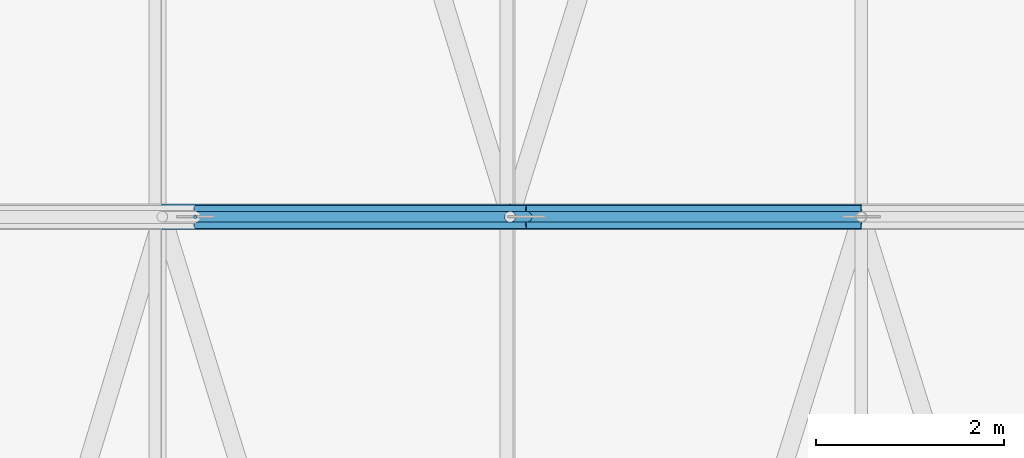
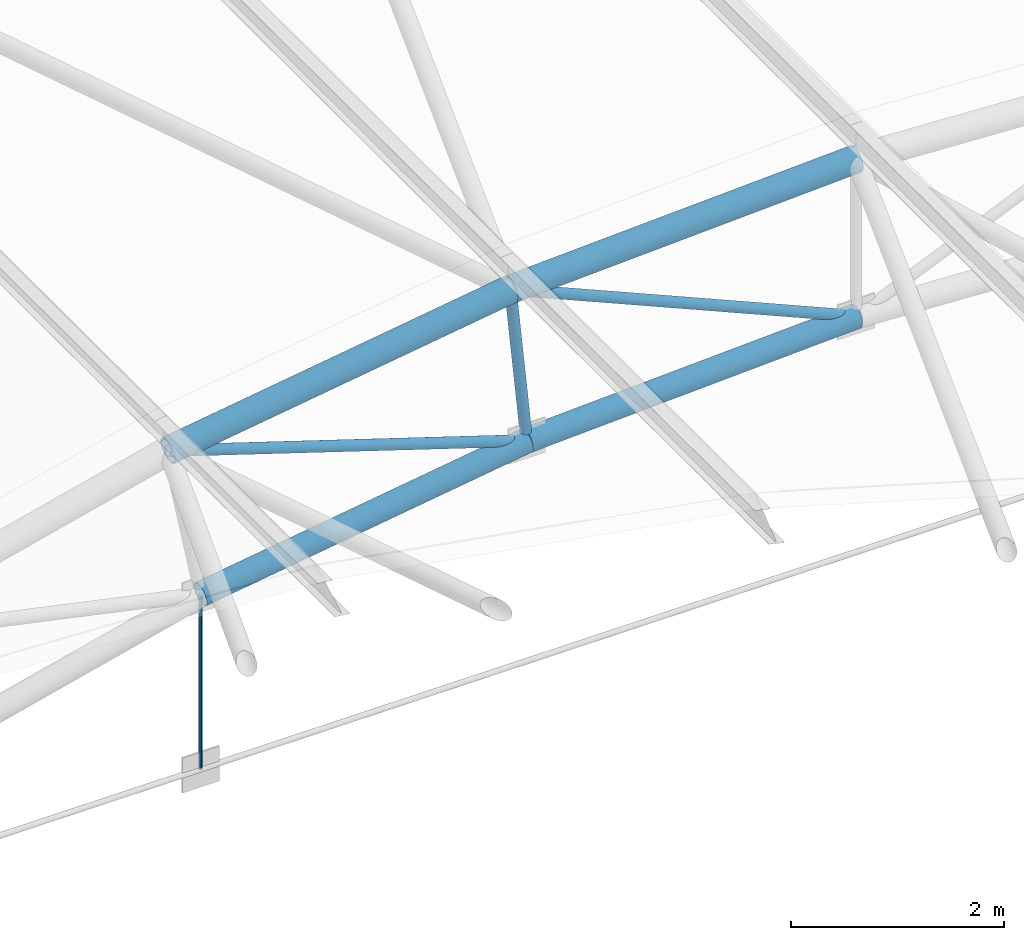
# One storey, part 208 of 321: 8 members.
"""IFC4 building model written with IfcOpenShell, lengths in metres."""

import ifcopenshell
import ifcopenshell.guid

model = None  # the IFC model being written
_history = None  # IfcOwnerHistory: only IFC2X3 demands one
_inside = {}  # id of a spatial element -> (the spatial element, [elements in it])
_under = {}  # id of a project, library or spatial element -> (it, [spatial elements below it])
_declared = {}  # id of a project -> (the project, [libraries it declares])
_typed = {}  # id of a type object -> (the type object, [elements of that type])
_made_of = {}  # id of a material, layer set ... -> (it, [elements and type objects made of it])


def new_model(schema):
    """Start an empty IFC model of exactly this schema.

    Asked for "IFC4X3", IfcOpenShell would pick the latest addendum, in which some entities
    have other attributes; the version numbers below select the first issue.
    IFC2X3 requires an IfcOwnerHistory on every rooted entity: one is made here for all.
    """
    global model, _history
    if schema == "IFC4X3":
        model = ifcopenshell.file(schema_version=(4, 3, 0, 0))
    else:
        model = ifcopenshell.file(schema=schema)
    _inside.clear()
    _under.clear()
    _declared.clear()
    _typed.clear()
    _made_of.clear()
    _history = None
    if model.schema == "IFC2X3":
        org = make("IfcOrganization", Name="unknown")
        user = make(
            "IfcPersonAndOrganization",
            ThePerson=make("IfcPerson", FamilyName="unknown"),
            TheOrganization=org,
        )
        app = make(
            "IfcApplication",
            ApplicationDeveloper=org,
            Version="unknown",
            ApplicationFullName="unknown",
            ApplicationIdentifier="unknown",
        )
        _history = make(
            "IfcOwnerHistory",
            OwningUser=user,
            OwningApplication=app,
            ChangeAction="ADDED",
            CreationDate=0,
        )
    return model


def make(cls, **values):
    """One entity of the class cls with the attributes given. An attribute that is None is left unset."""
    return model.create_entity(
        cls, **{name: value for name, value in values.items() if value is not None}
    )


def rooted(cls, **values):
    """An entity with a GlobalId (a new one), such as an element, a storey or a relation."""
    return make(cls, GlobalId=ifcopenshell.guid.new(), OwnerHistory=_history, **values)


def si_unit(unit_type, name, prefix=None):
    """IfcSIUnit, for example si_unit("LENGTHUNIT", "METRE", prefix="MILLI")."""
    return make("IfcSIUnit", UnitType=unit_type, Prefix=prefix, Name=name)


def assignment(units):
    """IfcUnitAssignment: the units of a project."""
    return None if units is None else make("IfcUnitAssignment", Units=units)


def point(xyz):
    """IfcCartesianPoint."""
    return None if xyz is None else make("IfcCartesianPoint", Coordinates=xyz)


def direction(xyz):
    """IfcDirection."""
    return None if xyz is None else make("IfcDirection", DirectionRatios=xyz)


def frame(location, z_axis=None, x_axis=None):
    """IfcAxis2Placement3D, a coordinate frame: its origin and axes. An axis left out is left unset."""
    return make(
        "IfcAxis2Placement3D",
        Location=point(location),
        Axis=direction(z_axis),
        RefDirection=direction(x_axis),
    )


def frame_2d(location, x_axis=None):
    """IfcAxis2Placement2D, a coordinate frame in the plane: its origin and x axis."""
    return make(
        "IfcAxis2Placement2D", Location=point(location), RefDirection=direction(x_axis)
    )


def origin():
    """The frame at (0, 0, 0) with its axes left unset."""
    return frame((0.0, 0.0, 0.0))


def origin_2d():
    """The frame at (0, 0) in the plane with its x axis left unset."""
    return frame_2d((0.0, 0.0))


def place(relative_to, where):
    """IfcLocalPlacement: puts the frame where relative to a parent placement (None: the world)."""
    return make(
        "IfcLocalPlacement", PlacementRelTo=relative_to, RelativePlacement=where
    )


def context(
    kind, dimensions, precision=None, world=None, true_north=None, identifier=None
):
    """IfcGeometricRepresentationContext, for example the 3D "Model" context."""
    return make(
        "IfcGeometricRepresentationContext",
        ContextIdentifier=identifier,
        ContextType=kind,
        CoordinateSpaceDimension=dimensions,
        Precision=precision,
        WorldCoordinateSystem=world,
        TrueNorth=true_north,
    )


def subcontext(parent, identifier, kind, view, scale=None):
    """IfcGeometricRepresentationSubContext, for example "Body" below "Model"."""
    return make(
        "IfcGeometricRepresentationSubContext",
        ContextIdentifier=identifier,
        ContextType=kind,
        ParentContext=parent,
        TargetScale=scale,
        TargetView=view,
    )


def project(units=None, contexts=None):
    """IfcProject with its units and contexts."""
    return rooted(
        "IfcProject",
        Name="project",
        RepresentationContexts=contexts,
        UnitsInContext=assignment(units),
    )


def spatial(cls, under=None, at=None, **own):
    """A site, building, storey or space (cls), placed at a placement, below another one or the project."""
    s = rooted(cls, ObjectPlacement=at, **own)
    if under is not None:
        _under.setdefault(under.id(), (under, []))[1].append(s)
    return s


def profile(cls, at=None, kind="AREA", **sizes):
    """A parametric profile (cls). Its sizes go by their IFC names, for example OverallWidth=200.0."""
    return make(cls, ProfileType=kind, Position=at, **sizes)


def circle(**sizes):
    """IfcCircleProfileDef."""
    return profile("IfcCircleProfileDef", **sizes)


def hollow_circle(**sizes):
    """IfcCircleHollowProfileDef."""
    return profile("IfcCircleHollowProfileDef", **sizes)


def extrude(swept, where, along, depth):
    """IfcExtrudedAreaSolid: the profile swept, set in the frame where, extruded along a direction by depth."""
    return make(
        "IfcExtrudedAreaSolid",
        SweptArea=swept,
        Position=where,
        ExtrudedDirection=direction(along),
        Depth=depth,
    )


def shape(context_of_items, identifier, shape_type, items):
    """IfcShapeRepresentation: the items that make up one representation, for example the "Body"."""
    return make(
        "IfcShapeRepresentation",
        ContextOfItems=context_of_items,
        RepresentationIdentifier=identifier,
        RepresentationType=shape_type,
        Items=items,
    )


def material(Name=None, Category=None):
    """IfcMaterial."""
    return make("IfcMaterial", Name=Name, Category=Category)


def material_profile(
    of_material, cross_section, Name=None, Category=None, Priority=None
):
    """IfcMaterialProfile: a cross section and its material."""
    return make(
        "IfcMaterialProfile",
        Name=Name,
        Material=of_material,
        Profile=cross_section,
        Priority=Priority,
        Category=Category,
    )


def profile_set(profiles, Name=None, composite=None):
    """IfcMaterialProfileSet."""
    return make(
        "IfcMaterialProfileSet",
        Name=Name,
        MaterialProfiles=profiles,
        CompositeProfile=composite,
    )


def made_of(thing, what):
    """Note that an element or type object is made of a material, layer set ...; save() writes the relation."""
    if what is not None:
        _made_of.setdefault(what.id(), (what, []))[1].append(thing)
    return thing


def type_object(cls, material=None, **own):
    """A type object (cls), such as IfcWallType, which elements share."""
    return made_of(rooted(cls, **own), material)


def element(
    cls,
    number,
    at=None,
    inside=None,
    cuts=None,
    type_object=None,
    material=None,
    context=None,
    identifier="Body",
    shape_type=None,
    held_by="IfcProductDefinitionShape",
    body=None,
    shapes=None,
    **own,
):
    """One element of the class cls, such as IfcWall. Its Tag is "e" and its number.

    at: its placement. inside: the storey or other place that contains it. cuts: it is an
    opening in that element (IfcRelVoidsElement). A single representation is given by context,
    identifier, shape_type and body (its items); several are given by shapes. held_by: the class
    of the entity that holds the representations. save() writes the other relations.
    """
    e = rooted(cls, Tag="e%d" % number, ObjectPlacement=at, **own)
    if body is not None:
        shapes = [shape(context, identifier, shape_type, body)]
    if shapes is not None:
        e.Representation = make(held_by, Representations=shapes)
    if inside is not None:
        _inside.setdefault(inside.id(), (inside, []))[1].append(e)
    if cuts is not None:
        rooted(
            "IfcRelVoidsElement", RelatingBuildingElement=cuts, RelatedOpeningElement=e
        )
    if type_object is not None:
        _typed.setdefault(type_object.id(), (type_object, []))[1].append(e)
    return made_of(e, material)


def aggregate(whole, parts):
    """IfcRelAggregates: a whole, such as a stair, and the parts it consists of."""
    return rooted("IfcRelAggregates", RelatingObject=whole, RelatedObjects=parts)


def save(model, path):
    """Write the relations noted so far, then the file.

    IfcRelAggregates (storeys below a building ...), IfcRelContainedInSpatialStructure (elements
    in a storey), IfcRelDefinesByType, IfcRelAssociatesMaterial and IfcRelDeclares: one each for
    every whole, place, type object, material and project.
    """
    for whole, parts in _under.values():
        aggregate(whole, parts)
    for where, things in _inside.values():
        rooted(
            "IfcRelContainedInSpatialStructure",
            RelatedElements=things,
            RelatingStructure=where,
        )
    for kind, things in _typed.values():
        rooted("IfcRelDefinesByType", RelatedObjects=things, RelatingType=kind)
    for what, things in _made_of.values():
        rooted("IfcRelAssociatesMaterial", RelatedObjects=things, RelatingMaterial=what)
    for by, libraries in _declared.values():
        rooted("IfcRelDeclares", RelatingContext=by, RelatedDefinitions=libraries)
    model.write(path)


model = new_model("IFC4")

# Units and contexts
model_context = context("Model", 3, precision=1e-05, world=origin(), true_north=direction((0.0, 1.0)))
body_context = subcontext(model_context, "Body", "Model", "MODEL_VIEW")
ifc_project = project(units=[si_unit("LENGTHUNIT", "METRE"), si_unit("AREAUNIT", "SQUARE_METRE"), si_unit("VOLUMEUNIT", "CUBIC_METRE"), si_unit("PLANEANGLEUNIT", "RADIAN"), si_unit("MASSUNIT", "GRAM", prefix="KILO")], contexts=[model_context])

# Site, building, storey
site_placement = place(None, origin())
site = spatial("IfcSite", under=ifc_project, at=site_placement, CompositionType="ELEMENT")
building_placement = place(site_placement, origin())
building = spatial("IfcBuilding", under=site, at=building_placement, Name="Ravi Spectrum Wholesale Market", CompositionType="ELEMENT")
storey_placement = place(building_placement, frame((0.0, 0.0, 10.800048828125)))
storey = spatial("IfcBuildingStorey", under=building, at=storey_placement, Name="L02", CompositionType="ELEMENT", Elevation=10.800048828125)

# Members
ifc_material_1 = material(Name="Steel S355", Category="steel")
ifc_material_profile_1 = material_profile(ifc_material_1, hollow_circle(Radius=0.05712890625, WallThickness=0.00390625, at=origin_2d()))
ifc_profile_set_1 = profile_set([ifc_material_profile_1], Name="Steel S355")
member_type_1 = type_object("IfcMemberType", Name="CHS 114.3x4 brace", PredefinedType="BRACE", material=ifc_profile_set_1)
for number, where, z_axis, x_axis, name in (
    (1, (172.551513671875, 150.0, 3.767822265625), (0.952400500519, 0.0, -0.304849613108), (0.0, 1.0, 0.0), "H3-MB-L02-072"),
    (2, (176.2578125, 150.0, 4.31640625), (0.918016770488, 0.0, -0.396541560373), (0.0, 1.0, 0.0), "H3-MB-L02-073"),
):
    element("IfcMember", number, at=place(storey_placement, frame(where, z_axis=z_axis, x_axis=x_axis)), inside=storey, type_object=member_type_1, Name=name, PredefinedType="BRACE", context=body_context, shape_type="SweptSolid", body=[
        extrude(hollow_circle(Radius=0.05712890625, WallThickness=0.00390625, at=origin_2d()), origin(), (0.0, 0.0, 1.0), 4.076416015625),
    ])
ifc_material_2 = material(Name="Steel S355", Category="steel")
ifc_material_profile_2 = material_profile(ifc_material_2, hollow_circle(Radius=0.05712890625, WallThickness=0.00390625, at=origin_2d()))
ifc_profile_set_2 = profile_set([ifc_material_profile_2], Name="Steel S355")
member_type_2 = type_object("IfcMemberType", Name="CHS 114.3x4 post", PredefinedType="POST", material=ifc_profile_set_2)
member_1_placement = place(storey_placement, frame((176.2578125, 150.0, 4.31640625), z_axis=(0.097797973815, 0.0, -0.995206288323), x_axis=(0.0, 1.0, 0.0)))
element("IfcMember", 3, at=member_1_placement, inside=storey, type_object=member_type_2, Name="H3-MB-L02-064", PredefinedType="POST", context=body_context, shape_type="SweptSolid", body=[
    extrude(hollow_circle(Radius=0.05712890625, WallThickness=0.00390625, at=origin_2d()), origin(), (0.0, 0.0, 1.0), 1.7998046875),
])
ifc_material_3 = material(Name="Steel S355", Category="steel")
ifc_material_profile_3 = material_profile(ifc_material_3, hollow_circle(Radius=0.122314453125, WallThickness=0.008056640625, at=origin_2d()))
ifc_profile_set_3 = profile_set([ifc_material_profile_3], Name="Steel S355")
member_type_3 = type_object("IfcMemberType", Name="CHS 244.5x8 chord", PredefinedType="CHORD", material=ifc_profile_set_3)
member_2_placement = place(storey_placement, frame((172.902099609375, 150.0, 2.002197265625), z_axis=(0.989214474115, 0.0, 0.146474312426), x_axis=(0.0, 1.0, 0.0)))
element("IfcMember", 4, at=member_2_placement, inside=storey, type_object=member_type_3, Name="H3-MB-L02-054", PredefinedType="CHORD", context=body_context, shape_type="SweptSolid", body=[
    extrude(hollow_circle(Radius=0.122314453125, WallThickness=0.008056640625, at=origin_2d()), origin(), (0.0, 0.0, 1.0), 3.5703125),
])
member_3_placement = place(storey_placement, frame((176.433837890625, 150.0, 2.525146484375), z_axis=(0.998800798306, 0.0, 0.048958812322), x_axis=(0.0, 1.0, 0.0)))
element("IfcMember", 5, at=member_3_placement, inside=storey, type_object=member_type_3, Name="H3-MB-L02-055", PredefinedType="CHORD", context=body_context, shape_type="SweptSolid", body=[
    extrude(hollow_circle(Radius=0.122314453125, WallThickness=0.008056640625, at=origin_2d()), origin(), (0.0, 0.0, 1.0), 3.570556640625),
])
ifc_material_4 = material(Name="Steel S355", Category="steel")
ifc_material_profile_4 = material_profile(ifc_material_4, hollow_circle(Radius=0.136474609375, WallThickness=0.010009765625, at=origin_2d()))
ifc_profile_set_4 = profile_set([ifc_material_profile_4], Name="Steel S355")
member_type_4 = type_object("IfcMemberType", Name="CHS 273x10 chord", PredefinedType="CHORD", material=ifc_profile_set_4)
for number, where, z_axis, x_axis, name in (
    (6, (172.551513671875, 150.0, 3.767822265625), (0.989222696265, 0.0, 0.146418773368), (0.0, 1.0, 0.0), "H3-MB-L02-044"),
    (7, (176.2578125, 150.0, 4.31640625), (0.998798699726, 0.0, 0.049001606354), (0.0, 1.0, 0.0), "H3-MB-L02-045"),
):
    element("IfcMember", number, at=place(storey_placement, frame(where, z_axis=z_axis, x_axis=x_axis)), inside=storey, type_object=member_type_4, Name=name, PredefinedType="CHORD", context=body_context, shape_type="SweptSolid", body=[
        extrude(hollow_circle(Radius=0.136474609375, WallThickness=0.010009765625, at=origin_2d()), origin(), (0.0, 0.0, 1.0), 3.74658203125),
    ])
ifc_material_5 = material(Name="Steel S355", Category="steel")
ifc_material_profile_5 = material_profile(ifc_material_5, circle(Radius=0.01806640625, at=origin_2d()))
ifc_profile_set_5 = profile_set([ifc_material_profile_5], Name="Steel S355")
member_type_5 = type_object("IfcMemberType", Name="ROD 36 hanger", PredefinedType="STRUT", material=ifc_profile_set_5)
member_4_placement = place(storey_placement, frame((172.902099609375, 150.0, 0.0), z_axis=(0.0, 0.0, 1.0), x_axis=(1.0, 0.0, 0.0)))
element("IfcMember", 8, at=member_4_placement, inside=storey, type_object=member_type_5, Name="H3-MB-L02-079", PredefinedType="STRUT", context=body_context, shape_type="SweptSolid", body=[
    extrude(circle(Radius=0.01806640625, at=origin_2d()), origin(), (0.0, 0.0, 1.0), 2.002197265625),
])

save(model, "model.ifc")
